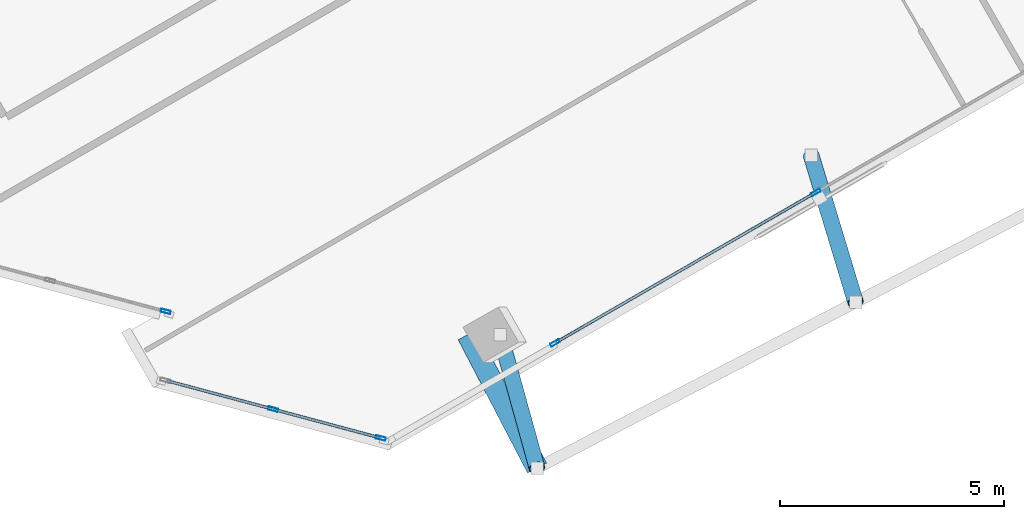
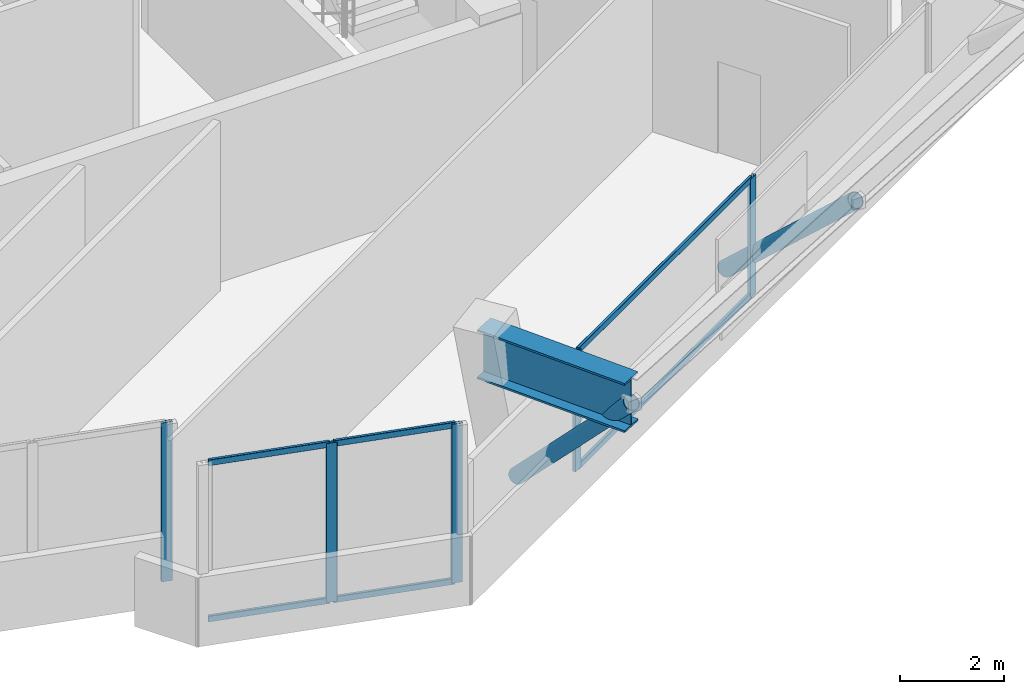
# One storey, part 3 of 15: 13 members, 1 beam, 3 elements without a shape of their own.
"""IFC4 building model written with IfcOpenShell, lengths in metres."""

from ifc_helpers import new_model, si_unit, direction, frame, origin, origin_2d, place, context, subcontext, project, spatial, hollow_rectangle, hollow_circle, i_section, extrude, source, transform, mapped, material, material_profile, profile_set, type_object, element, aggregate, save


model = new_model("IFC4")

# Units and contexts
model_context = context("Model", 3, precision=1e-05, world=origin(), true_north=direction((0.0, 1.0)))
body_context = subcontext(model_context, "Body", "Model", "MODEL_VIEW")
ifc_project = project(units=[si_unit("LENGTHUNIT", "METRE"), si_unit("AREAUNIT", "SQUARE_METRE"), si_unit("VOLUMEUNIT", "CUBIC_METRE"), si_unit("PLANEANGLEUNIT", "RADIAN"), si_unit("MASSUNIT", "GRAM", prefix="KILO")], contexts=[model_context])

# Site, building, storey
site_placement = place(None, origin())
site = spatial("IfcSite", under=ifc_project, at=site_placement, CompositionType="ELEMENT")
building_placement = place(site_placement, origin())
building = spatial("IfcBuilding", under=site, at=building_placement, Name="Torre Montelarca", CompositionType="ELEMENT")
storey_placement = place(building_placement, frame((0.0, 0.0, 324.0)))
storey = spatial("IfcBuildingStorey", under=building, at=storey_placement, Name="L73", CompositionType="ELEMENT", Elevation=324.0)

# Members
ifc_material_1 = material(Name="Steel ASTM A500 Grade C", Category="steel")
ifc_material_profile_1 = material_profile(ifc_material_1, hollow_circle(Radius=0.177734375, WallThickness=0.015869140625, at=origin_2d()), Name="HSS355.6X15.9", Category="steel")
ifc_profile_set_1 = profile_set([ifc_material_profile_1], Name="Steel ASTM A500 Grade C")
member_type_1 = type_object("IfcMemberType", Name="MB-BR-CHS356-EXT", PredefinedType="BRACE", material=ifc_profile_set_1)
shared_shape_1 = source(origin(), body_context, "Body", "SweptSolid", [
    extrude(hollow_circle(Radius=0.177734375, WallThickness=0.015869140625, at=origin_2d()), origin(), (0.0, 0.0, 1.0), 4.46826171875),
])
member_1_placement = place(storey_placement, frame((21.82177734375, 15.442626953125, 0.14990234375), z_axis=(0.184464550623, -0.664640637968, 0.724034289191), x_axis=(0.963576900593, 0.267431405492, 0.0)))
element("IfcMember", 1, at=member_1_placement, inside=storey, type_object=member_type_1, Name="L74 Sliding Tray Exterior Diagonal Raker Strut E1", PredefinedType="BRACE", context=body_context, shape_type="MappedRepresentation", body=[
    mapped(shared_shape_1, transform((0.0, 0.0, 0.0), scale=1.0)),
])
shared_shape_2 = source(origin(), body_context, "Body", "SweptSolid", [
    extrude(hollow_circle(Radius=0.177734375, WallThickness=0.015869140625, at=origin_2d()), origin(), (0.0, 0.0, 1.0), 4.70947265625),
])
member_2_placement = place(storey_placement, frame((28.75, 19.442626953125, 0.14990234375), z_axis=(0.210674328224, -0.695525950241, 0.686920650417), x_axis=(0.957059193561, 0.289892566343, 0.0)))
element("IfcMember", 2, at=member_2_placement, inside=storey, type_object=member_type_1, Name="L74 Sliding Tray Exterior Diagonal Raker Strut E2", PredefinedType="BRACE", context=body_context, shape_type="MappedRepresentation", body=[
    mapped(shared_shape_2, transform((0.0, 0.0, 0.0), scale=1.0)),
])

# Beam
ifc_material_2 = material(Name="Steel ASTM A572 Grade 50", Category="steel")
ifc_material_profile_2 = material_profile(ifc_material_2, i_section(OverallWidth=0.47998046875, OverallDepth=1.14990234375, WebThickness=0.02197265625, FlangeThickness=0.044921875, at=origin_2d()), Name="PG1150X480X22X45", Category="steel")
ifc_profile_set_2 = profile_set([ifc_material_profile_2], Name="Steel ASTM A572 Grade 50")
beam_type = type_object("IfcBeamType", Name="BM-CG-PG1400-EXT", PredefinedType="USERDEFINED", material=ifc_profile_set_2)
shared_shape_3 = source(origin(), body_context, "Body", "SweptSolid", [
    extrude(i_section(OverallWidth=0.47998046875, OverallDepth=1.14990234375, WebThickness=0.02197265625, FlangeThickness=0.044921875, at=origin_2d()), origin(), (0.0, 0.0, 1.0), 3.349853515625),
])
beam_placement = place(storey_placement, frame((21.099365234375, 15.4443359375, 3.385009765625), z_axis=(0.461701502022, -0.887035356134, 0.0), x_axis=(0.887035356134, 0.461701502022, 0.0)))
element("IfcBeam", 3, at=beam_placement, inside=storey, type_object=beam_type, Name="L73 Sliding Tray Cantilever Girder East Y=24m (FLR)", ObjectType="CANTILEVER GIRDER", PredefinedType="USERDEFINED", context=body_context, shape_type="MappedRepresentation", body=[
    mapped(shared_shape_3, transform((0.0, 0.0, 0.0), scale=1.0)),
])

# Curtain wall, member
ifc_material_3 = material(Name="Insulated low-E laminated glass", Category="glass")
curtain_wall_type = type_object("IfcCurtainWallType", Name="CW-SYS-Z4", PredefinedType="USERDEFINED", material=ifc_material_3)
curtain_wall_1_placement = place(storey_placement, origin())
curtain_wall_1 = element("IfcCurtainWall", 4, at=curtain_wall_1_placement, inside=storey, type_object=curtain_wall_type, Name="L73 Curtain Wall Run CW-T3-L73-E02-B1", ObjectType="UNITISED GLAZING", PredefinedType="USERDEFINED")
ifc_material_4 = material(Name="Anodised aluminium AA 6063-T6", Category="aluminium")
ifc_material_profile_3 = material_profile(ifc_material_4, hollow_rectangle(XDim=0.074951171875, YDim=0.219970703125, WallThickness=0.0048828125, InnerFilletRadius=0.0048828125, OuterFilletRadius=0.010009765625, at=origin_2d()), Name="ALU75X220X5", Category="aluminium")
ifc_profile_set_3 = profile_set([ifc_material_profile_3], Name="Anodised aluminium AA 6063-T6")
member_type_2 = type_object("IfcMemberType", Name="CWM-ALU220", PredefinedType="MULLION", material=ifc_profile_set_3)
shared_shape_4 = source(origin(), body_context, "Body", "SweptSolid", [
    extrude(hollow_rectangle(XDim=0.074951171875, YDim=0.219970703125, WallThickness=0.0048828125, InnerFilletRadius=0.0048828125, OuterFilletRadius=0.010009765625, at=origin_2d()), origin(), (0.0, 0.0, 1.0), 3.719970703125),
])
member_3_placement = place(storey_placement, frame((14.37158203125, 15.962890625, 0.0), z_axis=(0.0, 0.0, 1.0), x_axis=(0.25881985568, 0.965925609095, 0.0)))
member_3 = element("IfcMember", 5, at=member_3_placement, type_object=member_type_2, Name="CW mullion 3", PredefinedType="MULLION", context=body_context, shape_type="MappedRepresentation", body=[
    mapped(shared_shape_4, transform((0.0, 0.0, 0.0), scale=1.0)),
])
aggregate(curtain_wall_1, [member_3])

# Curtain wall, members
curtain_wall_2_placement = place(storey_placement, origin())
curtain_wall_2 = element("IfcCurtainWall", 6, at=curtain_wall_2_placement, inside=storey, type_object=curtain_wall_type, Name="L73 Curtain Wall Run CW-T3-L73-E05-B1", ObjectType="UNITISED GLAZING", PredefinedType="USERDEFINED")
member_4_placement = place(storey_placement, frame((16.765380859375, 13.7841796875, 0.0), z_axis=(0.0, 0.0, 1.0), x_axis=(0.258815391137, 0.965926805359, 0.0)))
member_4 = element("IfcMember", 7, at=member_4_placement, type_object=member_type_2, Name="CW mullion 2", PredefinedType="MULLION", context=body_context, shape_type="MappedRepresentation", body=[
    mapped(shared_shape_4, transform((0.0, 0.0, 0.0), scale=1.0)),
])
member_5_placement = place(storey_placement, frame((19.16455078125, 13.141357421875, 0.0), z_axis=(0.0, 0.0, 1.0), x_axis=(0.258815391137, 0.965926805359, 0.0)))
member_5 = element("IfcMember", 8, at=member_5_placement, type_object=member_type_2, Name="CW mullion 3", PredefinedType="MULLION", context=body_context, shape_type="MappedRepresentation", body=[
    mapped(shared_shape_4, transform((0.0, 0.0, 0.0), scale=1.0)),
])

curtain_wall_3_placement = place(storey_placement, origin())
curtain_wall_3 = element("IfcCurtainWall", 9, at=curtain_wall_3_placement, inside=storey, type_object=curtain_wall_type, Name="L73 Curtain Wall Run CW-T3-L73-E06-B1", ObjectType="UNITISED GLAZING", PredefinedType="USERDEFINED")
shared_shape_5 = source(origin(), body_context, "Body", "SweptSolid", [
    extrude(hollow_rectangle(XDim=0.074951171875, YDim=0.219970703125, WallThickness=0.0048828125, InnerFilletRadius=0.0048828125, OuterFilletRadius=0.010009765625, at=origin_2d()), origin(), (0.0, 0.0, 1.0), 2.77490234375),
])
member_6_placement = place(storey_placement, frame((23.044677734375, 15.259521484375, 0.0), z_axis=(0.0, 0.0, 1.0), x_axis=(-0.499999029587, 0.866025964052, 0.0)))
member_6 = element("IfcMember", 10, at=member_6_placement, type_object=member_type_2, Name="CW mullion 1", PredefinedType="MULLION", context=body_context, shape_type="MappedRepresentation", body=[
    mapped(shared_shape_5, transform((0.0, 0.0, 0.0), scale=1.0)),
])
member_7_placement = place(storey_placement, frame((28.85791015625, 18.61572265625, 0.0), z_axis=(0.0, 0.0, 1.0), x_axis=(-0.499999029587, 0.866025964052, 0.0)))
member_7 = element("IfcMember", 11, at=member_7_placement, type_object=member_type_2, Name="CW mullion 2", PredefinedType="MULLION", context=body_context, shape_type="MappedRepresentation", body=[
    mapped(shared_shape_5, transform((0.0, 0.0, 0.0), scale=1.0)),
])

# Member
ifc_material_profile_4 = material_profile(ifc_material_4, hollow_rectangle(XDim=0.06494140625, YDim=0.139892578125, WallThickness=0.00390625, InnerFilletRadius=0.00390625, OuterFilletRadius=0.008056640625, at=origin_2d()), Name="ALU65X140X4", Category="aluminium")
ifc_profile_set_4 = profile_set([ifc_material_profile_4], Name="Anodised aluminium AA 6063-T6")
member_type_3 = type_object("IfcMemberType", Name="CWT-ALU140", PredefinedType="USERDEFINED", material=ifc_profile_set_4)
shared_shape_6 = source(origin(), body_context, "Body", "SweptSolid", [
    extrude(hollow_rectangle(XDim=0.06494140625, YDim=0.139892578125, WallThickness=0.00390625, InnerFilletRadius=0.00390625, OuterFilletRadius=0.008056640625, at=origin_2d()), origin(), (0.0, 0.0, 1.0), 2.408447265625),
])
member_8_placement = place(storey_placement, frame((14.40283203125, 14.417236328125, 0.032470703125), z_axis=(0.965933120699, -0.258791820458, 0.0), x_axis=(0.258791820458, 0.965933120699, 0.0)))
member_8 = element("IfcMember", 12, at=member_8_placement, type_object=member_type_3, Name="CW transom 1.1", ObjectType="TRANSOM", PredefinedType="USERDEFINED", context=body_context, shape_type="MappedRepresentation", body=[
    mapped(shared_shape_6, transform((0.0, 0.0, 0.0), scale=1.0)),
])

member_9_placement = place(storey_placement, frame((14.40283203125, 14.417236328125, 3.6875), z_axis=(0.965933120699, -0.258791820458, 0.0), x_axis=(0.258791820458, 0.965933120699, 0.0)))
member_9 = element("IfcMember", 13, at=member_9_placement, type_object=member_type_3, Name="CW transom 1.2", ObjectType="TRANSOM", PredefinedType="USERDEFINED", context=body_context, shape_type="MappedRepresentation", body=[
    mapped(shared_shape_6, transform((0.0, 0.0, 0.0), scale=1.0)),
])

member_10_placement = place(storey_placement, frame((16.8017578125, 13.7744140625, 0.032470703125), z_axis=(0.965933120699, -0.258791820458, 0.0), x_axis=(0.258791820458, 0.965933120699, 0.0)))
member_10 = element("IfcMember", 14, at=member_10_placement, type_object=member_type_3, Name="CW transom 2.1", ObjectType="TRANSOM", PredefinedType="USERDEFINED", context=body_context, shape_type="MappedRepresentation", body=[
    mapped(shared_shape_6, transform((0.0, 0.0, 0.0), scale=1.0)),
])

member_11_placement = place(storey_placement, frame((16.8017578125, 13.7744140625, 3.6875), z_axis=(0.965933120699, -0.258791820458, 0.0), x_axis=(0.258791820458, 0.965933120699, 0.0)))
member_11 = element("IfcMember", 15, at=member_11_placement, type_object=member_type_3, Name="CW transom 2.2", ObjectType="TRANSOM", PredefinedType="USERDEFINED", context=body_context, shape_type="MappedRepresentation", body=[
    mapped(shared_shape_6, transform((0.0, 0.0, 0.0), scale=1.0)),
])

aggregate(curtain_wall_2, [member_4, member_5, member_8, member_9, member_10, member_11])

shared_shape_7 = source(origin(), body_context, "Body", "SweptSolid", [
    extrude(hollow_rectangle(XDim=0.06494140625, YDim=0.139892578125, WallThickness=0.00390625, InnerFilletRadius=0.00390625, OuterFilletRadius=0.008056640625, at=origin_2d()), origin(), (0.0, 0.0, 1.0), 6.637451171875),
])
member_12_placement = place(storey_placement, frame((23.0771484375, 15.2783203125, 0.032470703125), z_axis=(0.8660367451, 0.499980355751, 0.0), x_axis=(-0.499980355751, 0.8660367451, 0.0)))
member_12 = element("IfcMember", 16, at=member_12_placement, type_object=member_type_3, Name="CW transom 1.1", ObjectType="TRANSOM", PredefinedType="USERDEFINED", context=body_context, shape_type="MappedRepresentation", body=[
    mapped(shared_shape_7, transform((0.0, 0.0, 0.0), scale=1.0)),
])

member_13_placement = place(storey_placement, frame((23.0771484375, 15.2783203125, 2.742431640625), z_axis=(0.8660367451, 0.499980355751, 0.0), x_axis=(-0.499980355751, 0.8660367451, 0.0)))
member_13 = element("IfcMember", 17, at=member_13_placement, type_object=member_type_3, Name="CW transom 1.2", ObjectType="TRANSOM", PredefinedType="USERDEFINED", context=body_context, shape_type="MappedRepresentation", body=[
    mapped(shared_shape_7, transform((0.0, 0.0, 0.0), scale=1.0)),
])

aggregate(curtain_wall_3, [member_6, member_7, member_12, member_13])

save(model, "model.ifc")
